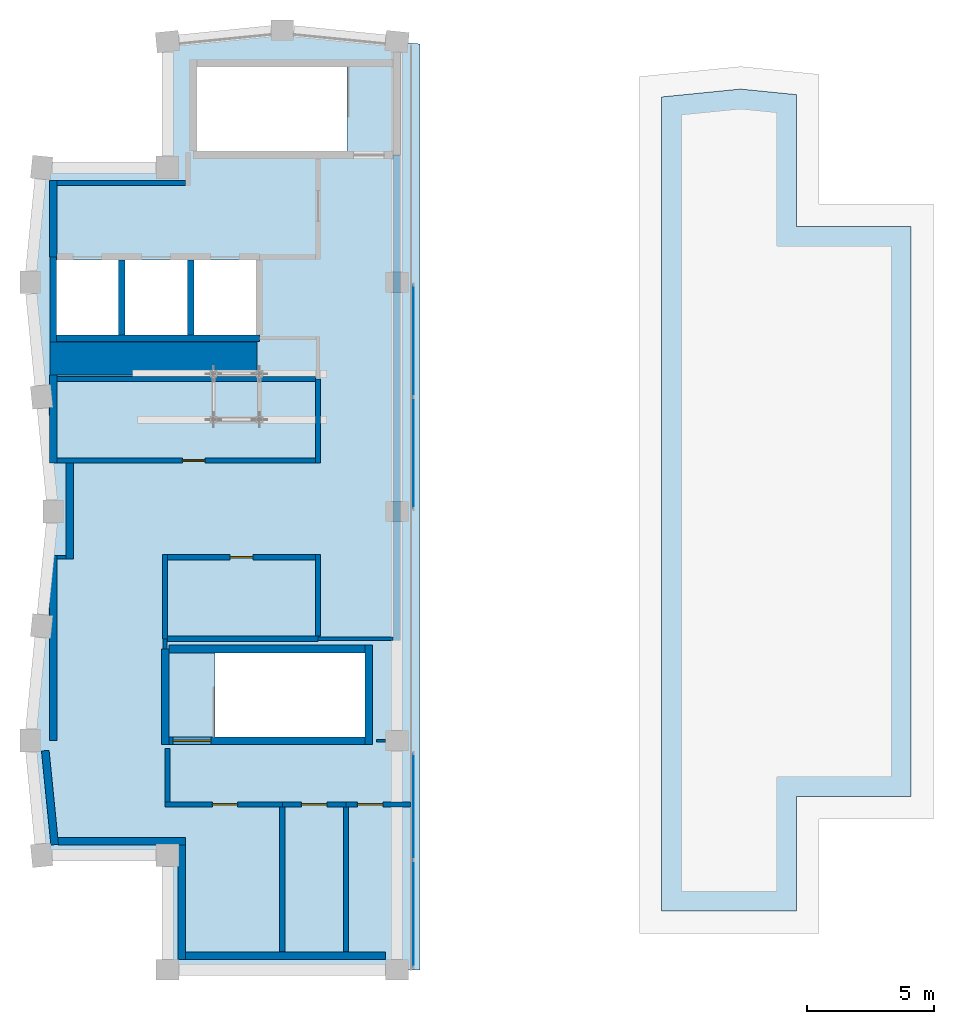
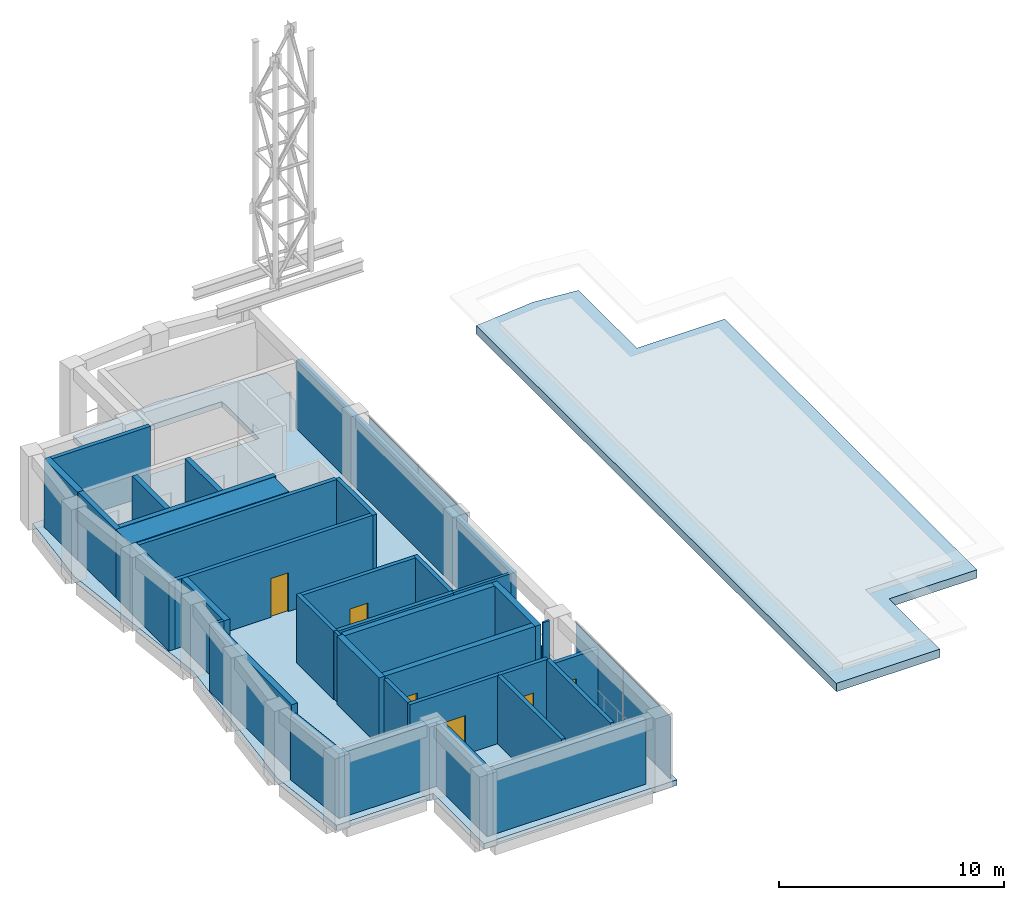
# One storey, part 5 of 7: 36 walls, 6 doors, 4 plates, 2 slabs, 6 openings, 2 elements without a shape of their own.
"""IFC4 building model written with IfcOpenShell, lengths in metres."""

from ifc_helpers import new_model, si_unit, direction, frame, frame_2d, origin, origin_2d, place, context, subcontext, project, spatial, polyline, rectangle, outline, extrude, material, layer, layer_set, type_object, element, fill, aggregate, save


model = new_model("IFC4")

# Units and contexts
model_context = context("Model", 3, precision=1e-05, world=origin(), true_north=direction((0.0, 1.0)))
body_context = subcontext(model_context, "Body", "Model", "MODEL_VIEW")
ifc_project = project(units=[si_unit("LENGTHUNIT", "METRE"), si_unit("AREAUNIT", "SQUARE_METRE"), si_unit("VOLUMEUNIT", "CUBIC_METRE"), si_unit("PLANEANGLEUNIT", "RADIAN"), si_unit("MASSUNIT", "GRAM", prefix="KILO")], contexts=[model_context])

# Site, building, storey
site_placement = place(None, origin())
site = spatial("IfcSite", under=ifc_project, at=site_placement, CompositionType="ELEMENT")
building_placement = place(site_placement, origin())
building = spatial("IfcBuilding", under=site, at=building_placement, Name="Brondeck Convention Tower", CompositionType="ELEMENT")
storey_placement = place(building_placement, frame((0.0, 0.0, 306.800048828125)))
storey = spatial("IfcBuildingStorey", under=building, at=storey_placement, Name="L76", CompositionType="ELEMENT", Elevation=306.800048828125)

# Curtain wall, plates
ifc_material_1 = material(Name="Aluminium, bronze anodised", Category="aluminium")
curtain_wall_type = type_object("IfcCurtainWallType", Name="Crown screen curtain wall", PredefinedType="NOTDEFINED", material=ifc_material_1)
curtain_wall_1_placement = place(storey_placement, origin())
curtain_wall_1 = element("IfcCurtainWall", 1, at=curtain_wall_1_placement, inside=storey, type_object=curtain_wall_type, Name="ENV-CW4-L76-K1-SLOT-W-00-2", PredefinedType="NOTDEFINED")
ifc_material_2 = material(Name="Bronze tinted laminated glass", Category="glass")
ifc_layer_1 = layer(ifc_material_2, 0.007080078125, Name="Outer pane")
ifc_material_3 = material(Name="Argon-filled cavity")
ifc_layer_2 = layer(ifc_material_3, 0.011962890625, Name="Cavity")
ifc_material_4 = material(Name="Clear low-emissivity glass", Category="glass")
ifc_layer_3 = layer(ifc_material_4, 0.007080078125, Name="Inner pane")
ifc_layer_set_1 = layer_set([ifc_layer_1, ifc_layer_2, ifc_layer_3], Name="CW4 glazing panel")
plate_type = type_object("IfcPlateType", Name="CW4 glazing panel", PredefinedType="CURTAIN_PANEL", material=ifc_layer_set_1)
plate_1_placement = place(storey_placement, frame((14.14990234375, 33.41259765625, 0.06005859375), z_axis=(0.0, 0.0, 1.0), x_axis=(0.0, -1.0, 0.0)))
plate_1 = element("IfcPlate", 2, at=plate_1_placement, type_object=plate_type, Name="CW4 panel 1.1", PredefinedType="CURTAIN_PANEL", context=body_context, shape_type="SweptSolid", body=[
    extrude(rectangle(XDim=4.155029296875, YDim=0.02587890625, at=origin_2d()), origin(), (0.0, 0.0, 1.0), 3.3798828125),
])
plate_2_placement = place(storey_placement, frame((14.14990234375, 29.197509765625, 0.06005859375), z_axis=(0.0, 0.0, 1.0), x_axis=(0.0, -1.0, 0.0)))
plate_2 = element("IfcPlate", 3, at=plate_2_placement, type_object=plate_type, Name="CW4 panel 2.1", PredefinedType="CURTAIN_PANEL", context=body_context, shape_type="SweptSolid", body=[
    extrude(rectangle(XDim=4.155029296875, YDim=0.02587890625, at=origin_2d()), origin(), (0.0, 0.0, 1.0), 3.3798828125),
])
aggregate(curtain_wall_1, [plate_1, plate_2])

curtain_wall_2_placement = place(storey_placement, origin())
curtain_wall_2 = element("IfcCurtainWall", 4, at=curtain_wall_2_placement, inside=storey, type_object=curtain_wall_type, Name="ENV-CW4-L76-K1-SLOT-W-05", PredefinedType="NOTDEFINED")
plate_3_placement = place(storey_placement, frame((14.14990234375, 51.705078125, 0.06005859375), z_axis=(0.0, 0.0, 1.0), x_axis=(0.0, -1.0, 0.0)))
plate_3 = element("IfcPlate", 5, at=plate_3_placement, type_object=plate_type, Name="CW4 panel 1.1", PredefinedType="CURTAIN_PANEL", context=body_context, shape_type="SweptSolid", body=[
    extrude(rectangle(XDim=4.35009765625, YDim=0.02587890625, at=origin_2d()), origin(), (0.0, 0.0, 1.0), 3.3798828125),
])
plate_4_placement = place(storey_placement, frame((14.14990234375, 47.294921875, 0.06005859375), z_axis=(0.0, 0.0, 1.0), x_axis=(0.0, -1.0, 0.0)))
plate_4 = element("IfcPlate", 6, at=plate_4_placement, type_object=plate_type, Name="CW4 panel 2.1", PredefinedType="CURTAIN_PANEL", context=body_context, shape_type="SweptSolid", body=[
    extrude(rectangle(XDim=4.35009765625, YDim=0.02587890625, at=origin_2d()), origin(), (0.0, 0.0, 1.0), 3.3798828125),
])
aggregate(curtain_wall_2, [plate_3, plate_4])

# Slabs
ifc_material_5 = material(Name="Concrete C35/45", Category="concrete")
ifc_layer_4 = layer(ifc_material_5, 0.300048828125)
ifc_layer_set_2 = layer_set([ifc_layer_4], Name="Composite floor slab 300")
slab_type_1 = type_object("IfcSlabType", Name="Composite floor slab 300", PredefinedType="FLOOR", material=ifc_layer_set_2)
slab_1_placement = place(storey_placement, frame((0.0, 0.0, -0.300048828125)))
element("IfcSlab", 7, at=slab_1_placement, inside=storey, type_object=slab_type_1, Name="STR-SL-L76", PredefinedType="FLOOR", context=body_context, shape_type="SweptSolid", body=[
    extrude(outline(polyline([(4.5, 31.5), (-0.449951171875, 31.5), (-0.89990234375, 36.0), (0.0, 45.0), (-0.89990234375, 54.0), (-0.449951171875, 58.5), (4.5, 58.5), (4.5, 63.449951171875), (9.0, 63.89990234375), (14.39990234375, 63.360107421875), (14.39990234375, 63.0), (14.39990234375, 27.0), (4.5, 27.0), (4.5, 31.5)]), holes=[polyline([(6.35205078125, 39.447998046875), (6.35205078125, 36.152099609375), (12.248046875, 36.152099609375), (12.248046875, 39.447998046875), (6.35205078125, 39.447998046875)]), polyline([(0.125, 54.875), (0.125, 51.925048828125), (2.574951171875, 51.925048828125), (2.574951171875, 54.875), (0.125, 54.875)]), polyline([(2.824951171875, 54.875), (2.824951171875, 51.925048828125), (5.27490234375, 51.925048828125), (5.27490234375, 54.875), (2.824951171875, 54.875)]), polyline([(7.97509765625, 54.875), (5.52490234375, 54.875), (5.52490234375, 51.925048828125), (7.97509765625, 51.925048828125), (7.97509765625, 54.875)]), polyline([(5.652099609375, 59.152099609375), (11.548095703125, 59.152099609375), (11.548095703125, 62.447998046875), (5.652099609375, 62.447998046875), (5.652099609375, 59.152099609375)])]), origin(), (0.0, 0.0, 1.0), 0.300048828125),
])
ifc_layer_5 = layer(ifc_material_5, 0.449951171875)
ifc_layer_set_3 = layer_set([ifc_layer_5], Name="Crown tier slab 450")
slab_type_2 = type_object("IfcSlabType", Name="Crown tier slab 450", PredefinedType="ROOF", material=ifc_layer_set_3)
slab_2_placement = place(storey_placement, frame((0.0, 0.0, 0.050048828125)))
element("IfcSlab", 8, at=slab_2_placement, inside=storey, type_object=slab_type_2, Name="ENV-CT-K2-T2-SL", PredefinedType="ROOF", context=body_context, shape_type="SweptSolid", body=[
    extrude(outline(polyline([(23.89990234375, 29.300048828125), (29.199951171875, 29.300048828125), (29.199951171875, 33.800048828125), (33.699951171875, 33.800048828125), (33.699951171875, 56.199951171875), (29.199951171875, 56.199951171875), (29.199951171875, 61.368408203125), (27.0, 61.58837890625), (23.89990234375, 61.278564453125), (23.89990234375, 29.300048828125)])), origin(), (0.0, 0.0, 1.0), 0.449951171875),
])

# Walls
ifc_material_6 = material(Name="Concrete C50/60", Category="concrete")
ifc_layer_6 = layer(ifc_material_6, 0.300048828125)
ifc_layer_set_4 = layer_set([ifc_layer_6], Name="Core outer wall 300 Concrete C50/60")
wall_type_1 = type_object("IfcWallType", Name="Core outer wall 300 Concrete C50/60", PredefinedType="SHEAR", material=ifc_layer_set_4)
wall_1_placement = place(storey_placement, frame((0.0, 36.0, 0.0), z_axis=(0.0, 0.0, 1.0), x_axis=(0.0, 1.0, 0.0)))
element("IfcWall", 9, at=wall_1_placement, inside=storey, type_object=wall_type_1, Name="L76 core wall", PredefinedType="SHEAR", context=body_context, shape_type="SweptSolid", body=[
    extrude(rectangle(XDim=7.27490234375, YDim=0.300048828125, at=frame_2d((3.637451171875, 0.0))), origin(), (0.0, 0.0, 1.0), 3.699951171875),
])
wall_2_placement = place(storey_placement, frame((0.0, 46.89990234375, 0.0), z_axis=(0.0, 0.0, 1.0), x_axis=(0.0, 1.0, 0.0)))
element("IfcWall", 10, at=wall_2_placement, inside=storey, type_object=wall_type_1, Name="L76 core wall", PredefinedType="SHEAR", context=body_context, shape_type="SweptSolid", body=[
    extrude(rectangle(XDim=3.4501953125, YDim=0.300048828125, at=frame_2d((1.72509765625, 0.0))), origin(), (0.0, 0.0, 1.0), 3.699951171875),
])
wall_3_placement = place(storey_placement, frame((0.0, 55.0, 0.0), z_axis=(0.0, 0.0, 1.0), x_axis=(0.0, 1.0, 0.0)))
element("IfcWall", 11, at=wall_3_placement, inside=storey, type_object=wall_type_1, Name="L76 core wall", PredefinedType="SHEAR", context=body_context, shape_type="SweptSolid", body=[
    extrude(rectangle(XDim=3.0, YDim=0.300048828125, at=frame_2d((1.5, 0.0))), origin(), (0.0, 0.0, 1.0), 3.699951171875),
])
wall_4_placement = place(storey_placement, frame((0.64990234375, 43.125, 0.0), z_axis=(0.0, 0.0, 1.0), x_axis=(0.0, 1.0, 0.0)))
element("IfcWall", 12, at=wall_4_placement, inside=storey, type_object=wall_type_1, Name="L76 core wall", PredefinedType="SHEAR", context=body_context, shape_type="SweptSolid", body=[
    extrude(rectangle(XDim=3.77490234375, YDim=0.300048828125, at=frame_2d((1.887451171875, 0.0))), origin(), (0.0, 0.0, 1.0), 3.699951171875),
])
wall_5_placement = place(storey_placement, frame((13.5, 39.925048828125, 0.0), z_axis=(0.0, 0.0, 1.0), x_axis=(0.0, 1.0, 0.0)))
element("IfcWall", 13, at=wall_5_placement, inside=storey, type_object=wall_type_1, Name="L76 core wall", PredefinedType="SHEAR", context=body_context, shape_type="SweptSolid", body=[
    extrude(rectangle(XDim=19.074951171875, YDim=0.300048828125, at=frame_2d((9.53759765625, 0.0))), origin(), (0.0, 0.0, 1.0), 3.699951171875),
])
ifc_material_7 = material(Name="Fire-rated gypsum board partition")
ifc_layer_7 = layer(ifc_material_7, 0.14990234375)
ifc_layer_set_5 = layer_set([ifc_layer_7], Name="Core partition 150 EI 60")
wall_type_2 = type_object("IfcWallType", Name="Core partition 150 EI 60", PredefinedType="PARTITIONING", material=ifc_layer_set_5)
wall_6_placement = place(storey_placement, frame((10.39990234375, 40.0, 0.0), z_axis=(0.0, 0.0, 1.0), x_axis=(1.0, 0.0, 0.0)))
element("IfcWall", 14, at=wall_6_placement, inside=storey, type_object=wall_type_2, Name="L76 core wall", PredefinedType="PARTITIONING", context=body_context, shape_type="SweptSolid", body=[
    extrude(rectangle(XDim=2.9501953125, YDim=0.14990234375, at=frame_2d((1.47509765625, 0.0))), origin(), (0.0, 0.0, 1.0), 3.699951171875),
])
wall_7_placement = place(storey_placement, frame((0.14990234375, 43.199951171875, 0.0), z_axis=(0.0, 0.0, 1.0), x_axis=(1.0, 0.0, 0.0)))
element("IfcWall", 15, at=wall_7_placement, inside=storey, type_object=wall_type_2, Name="L76 core wall", PredefinedType="PARTITIONING", context=body_context, shape_type="SweptSolid", body=[
    extrude(rectangle(XDim=0.35009765625, YDim=0.14990234375, at=frame_2d((0.175048828125, 0.0))), origin(), (0.0, 0.0, 1.0), 3.699951171875),
])
wall_8_placement = place(storey_placement, frame((4.39990234375, 39.60009765625, 0.0), z_axis=(0.0, 0.0, 1.0), x_axis=(0.0, 1.0, 0.0)))
element("IfcWall", 16, at=wall_8_placement, inside=storey, type_object=wall_type_2, Name="L76 core wall", PredefinedType="PARTITIONING", context=body_context, shape_type="SweptSolid", body=[
    extrude(rectangle(XDim=0.39990234375, YDim=0.14990234375, at=frame_2d((0.199951171875, 0.0))), origin(), (0.0, 0.0, 1.0), 3.699951171875),
])
ifc_layer_8 = layer(ifc_material_6, 1.300048828125)
ifc_layer_set_6 = layer_set([ifc_layer_8], Name="Core shear wall 1300 Concrete C50/60")
wall_type_3 = type_object("IfcWallType", Name="Core shear wall 1300 Concrete C50/60", PredefinedType="SHEAR", material=ifc_layer_set_6)
wall_9_placement = place(storey_placement, frame((-0.125, 51.0, 0.0), z_axis=(0.0, 0.0, 1.0), x_axis=(1.0, 0.0, 0.0)))
element("IfcWall", 17, at=wall_9_placement, inside=storey, type_object=wall_type_3, Name="L76 core wall", PredefinedType="SHEAR", context=body_context, shape_type="SweptSolid", body=[
    extrude(rectangle(XDim=8.125, YDim=1.300048828125, at=frame_2d((4.0625, 0.0))), origin(), (0.0, 0.0, 1.0), 3.699951171875),
])
ifc_material_8 = material(Name="Precast concrete C50/60 bronze finish", Category="concrete")
ifc_layer_9 = layer(ifc_material_8, 0.070068359375, Name="Bronze precast facing")
ifc_material_9 = material(Name="Mineral wool")
ifc_layer_10 = layer(ifc_material_9, 0.159912109375, Name="Insulation")
ifc_layer_11 = layer(ifc_material_5, 0.070068359375, Name="Backing")
ifc_layer_set_7 = layer_set([ifc_layer_9, ifc_layer_10, ifc_layer_11], Name="External infill wall, precast concrete C50/60 bronze facing")
wall_type_4 = type_object("IfcWallType", Name="External infill wall, precast concrete C50/60 bronze facing", PredefinedType="SOLIDWALL", material=ifc_layer_set_7)
wall_10_placement = place(storey_placement, frame((13.050048828125, 27.550048828125, 0.0), z_axis=(0.0, 0.0, 1.0), x_axis=(-1.0, 0.0, 0.0)))
element("IfcWall", 18, at=wall_10_placement, inside=storey, type_object=wall_type_4, Name="ENV-EW-L76-K1-K-S-01", PredefinedType="SOLIDWALL", context=body_context, shape_type="SweptSolid", body=[
    extrude(rectangle(XDim=7.85009765625, YDim=0.300048828125, at=frame_2d((3.925048828125, 0.0))), origin(), (0.0, 0.0, 1.0), 3.5),
])
wall_11_placement = place(storey_placement, frame((0.061279296875, 31.914794921875, 0.0), z_axis=(0.0, 0.0, 1.0), x_axis=(-0.099549320092, 0.995032629048, 0.0)))
element("IfcWall", 19, at=wall_11_placement, inside=storey, type_object=wall_type_4, Name="ENV-EW-L76-K1-B-W-06", PredefinedType="SOLIDWALL", context=body_context, shape_type="SweptSolid", body=[
    extrude(rectangle(XDim=3.71044921875, YDim=0.300048828125, at=frame_2d((1.855224609375, 0.0))), origin(), (0.0, 0.0, 1.0), 3.5),
])
wall_12_placement = place(storey_placement, frame((5.199951171875, 32.050048828125, 0.0), z_axis=(0.0, 0.0, 1.0), x_axis=(-1.0, 0.0, 0.0)))
element("IfcWall", 20, at=wall_12_placement, inside=storey, type_object=wall_type_4, Name="ENV-EW-L76-K1-NC-KSW-01", PredefinedType="SOLIDWALL", context=body_context, shape_type="SweptSolid", body=[
    extrude(rectangle(XDim=5.000244140625, YDim=0.300048828125, at=frame_2d((2.5, 0.0))), origin(), (0.0, 0.0, 1.0), 3.5),
])
wall_13_placement = place(storey_placement, frame((5.050048828125, 27.39990234375, 0.0), z_axis=(0.0, 0.0, 1.0), x_axis=(0.0, 1.0, 0.0)))
element("IfcWall", 21, at=wall_13_placement, inside=storey, type_object=wall_type_4, Name="ENV-EW-L76-K1-NC-KSW-02", PredefinedType="SOLIDWALL", context=body_context, shape_type="SweptSolid", body=[
    extrude(rectangle(XDim=4.502197265625, YDim=0.300048828125, at=frame_2d((2.2509765625, 0.0))), origin(), (0.0, 0.0, 1.0), 3.5),
])
ifc_layer_12 = layer(ifc_material_7, 0.199951171875)
ifc_layer_set_8 = layer_set([ifc_layer_12], Name="Firefighting lobby wall 200 EI 120")
wall_type_5 = type_object("IfcWallType", Name="Firefighting lobby wall 200 EI 120", PredefinedType="PARTITIONING", material=ifc_layer_set_8)
wall_14_placement = place(storey_placement, frame((0.14990234375, 57.89990234375, 0.0), z_axis=(0.0, 0.0, 1.0), x_axis=(1.0, 0.0, 0.0)))
element("IfcWall", 22, at=wall_14_placement, inside=storey, type_object=wall_type_5, Name="L76 core wall", PredefinedType="PARTITIONING", context=body_context, shape_type="SweptSolid", body=[
    extrude(rectangle(XDim=5.050048828125, YDim=0.199951171875, at=frame_2d((2.52490234375, 0.0))), origin(), (0.0, 0.0, 1.0), 3.699951171875),
])
ifc_layer_13 = layer(ifc_material_6, 0.25)
ifc_layer_set_9 = layer_set([ifc_layer_13], Name="Lift shaft wall 250 Concrete C50/60")
wall_type_6 = type_object("IfcWallType", Name="Lift shaft wall 250 Concrete C50/60", PredefinedType="SHEAR", material=ifc_layer_set_9)
wall_15_placement = place(storey_placement, frame((0.125, 51.800048828125, 0.0), z_axis=(0.0, 0.0, 1.0), x_axis=(1.0, 0.0, 0.0)))
element("IfcWall", 23, at=wall_15_placement, inside=storey, type_object=wall_type_6, Name="L76 core wall", PredefinedType="SHEAR", context=body_context, shape_type="SweptSolid", body=[
    extrude(rectangle(XDim=7.97509765625, YDim=0.25, at=frame_2d((3.987548828125, 0.0))), origin(), (0.0, 0.0, 1.0), 3.699951171875),
])
wall_16_placement = place(storey_placement, frame((0.0, 51.64990234375, 0.0), z_axis=(0.0, 0.0, 1.0), x_axis=(0.0, 1.0, 0.0)))
element("IfcWall", 24, at=wall_16_placement, inside=storey, type_object=wall_type_6, Name="L76 core wall", PredefinedType="SHEAR", context=body_context, shape_type="SweptSolid", body=[
    extrude(rectangle(XDim=3.35009765625, YDim=0.25, at=frame_2d((1.675048828125, 0.0))), origin(), (0.0, 0.0, 1.0), 3.699951171875),
])
for number, where, z_axis, x_axis, name in (
    (25, (2.699951171875, 51.925048828125, 0.0), (0.0, 0.0, 1.0), (0.0, 1.0, 0.0), "L76 core wall"),
    (26, (5.39990234375, 51.925048828125, 0.0), (0.0, 0.0, 1.0), (0.0, 1.0, 0.0), "L76 core wall"),
):
    element("IfcWall", number, at=place(storey_placement, frame(where, z_axis=z_axis, x_axis=x_axis)), inside=storey, type_object=wall_type_6, Name=name, PredefinedType="SHEAR", context=body_context, shape_type="SweptSolid", body=[
        extrude(rectangle(XDim=2.949951171875, YDim=0.25, at=frame_2d((1.47509765625, 0.0))), origin(), (0.0, 0.0, 1.0), 3.699951171875),
    ])
ifc_material_10 = material(Name="Concrete block wall C16/20", Category="concrete")
ifc_layer_14 = layer(ifc_material_10, 0.199951171875)
ifc_layer_set_10 = layer_set([ifc_layer_14], Name="Plant room wall 200")
wall_type_7 = type_object("IfcWallType", Name="Plant room wall 200", PredefinedType="PARTITIONING", material=ifc_layer_set_10)
for number, where, z_axis, x_axis, name in (
    (27, (9.0, 33.39990234375, 0.0), (0.0, 0.0, 1.0), (0.0, -1.0, 0.0), "FLR-L76-W001"),
    (28, (11.5, 33.39990234375, 0.0), (0.0, 0.0, 1.0), (0.0, -1.0, 0.0), "FLR-L76-W002"),
):
    element("IfcWall", number, at=place(storey_placement, frame(where, z_axis=z_axis, x_axis=x_axis)), inside=storey, type_object=wall_type_7, Name=name, PredefinedType="PARTITIONING", context=body_context, shape_type="SweptSolid", body=[
        extrude(rectangle(XDim=5.679931640625, YDim=0.199951171875, at=frame_2d((2.83984375, 0.0))), origin(), (0.0, 0.0, 1.0), 3.679931640625),
    ])

# Wall, opening, door
wall_17_placement = place(storey_placement, frame((9.0, 33.5, 0.0), z_axis=(0.0, 0.0, 1.0), x_axis=(-1.0, 0.0, 0.0)))
wall_17 = element("IfcWall", 29, at=wall_17_placement, inside=storey, type_object=wall_type_7, Name="FLR-L76-W003", PredefinedType="PARTITIONING", context=body_context, shape_type="SweptSolid", body=[
    extrude(rectangle(XDim=4.60009765625, YDim=0.199951171875, at=frame_2d((2.300048828125, 0.0))), origin(), (0.0, 0.0, 1.0), 3.679931640625),
])
opening_1_placement = place(wall_17_placement, frame((1.75, 0.0, 0.0)))
opening_1 = element("IfcOpeningElement", 30, at=opening_1_placement, cuts=wall_17, Name="Opening CR-C-001", PredefinedType="OPENING", context=body_context, shape_type="SweptSolid", body=[
    extrude(rectangle(XDim=1.0, YDim=2.10009765625, at=frame_2d((0.5, 1.050048828125))), frame((0.0, 0.10986328125, 0.0), z_axis=(0.0, -1.0, 0.0), x_axis=(1.0, 0.0, 0.0)), (0.0, 0.0, 1.0), 0.219970703125),
])
ifc_material_11 = material(Name="Steel fire door leaf", Category="steel")
door_type_1 = type_object("IfcDoorType", Name="Plant room door 1000", OperationType="NOTDEFINED", PredefinedType="DOOR", material=ifc_material_11)
door_1_placement = place(opening_1_placement, origin())
door_1 = element("IfcDoor", 31, at=door_1_placement, inside=storey, type_object=door_type_1, Name="Door CR-C-001", OperationType="SINGLE_SWING_RIGHT", OverallHeight=2.10009765625, OverallWidth=1.0, PredefinedType="DOOR", context=body_context, shape_type="SweptSolid", body=[
    extrude(rectangle(XDim=1.0, YDim=2.10009765625, at=frame_2d((0.5, 1.050048828125))), frame((0.0, 0.02490234375, 0.0), z_axis=(0.0, -1.0, 0.0), x_axis=(1.0, 0.0, 0.0)), (0.0, 0.0, 1.0), 0.050048828125),
])
fill(opening_1, door_1)

wall_18_placement = place(storey_placement, frame((11.5, 33.5, 0.0), z_axis=(0.0, 0.0, 1.0), x_axis=(-1.0, 0.0, 0.0)))
wall_18 = element("IfcWall", 32, at=wall_18_placement, inside=storey, type_object=wall_type_7, Name="FLR-L76-W004", PredefinedType="PARTITIONING", context=body_context, shape_type="SweptSolid", body=[
    extrude(rectangle(XDim=2.5, YDim=0.199951171875, at=frame_2d((1.25, 0.0))), origin(), (0.0, 0.0, 1.0), 3.679931640625),
])
opening_2_placement = place(wall_18_placement, frame((0.75, 0.0, 0.0)))
opening_2 = element("IfcOpeningElement", 33, at=opening_2_placement, cuts=wall_18, Name="Opening CR-C-002", PredefinedType="OPENING", context=body_context, shape_type="SweptSolid", body=[
    extrude(rectangle(XDim=1.0, YDim=2.10009765625, at=frame_2d((0.5, 1.050048828125))), frame((0.0, 0.10986328125, 0.0), z_axis=(0.0, -1.0, 0.0), x_axis=(1.0, 0.0, 0.0)), (0.0, 0.0, 1.0), 0.219970703125),
])
door_2_placement = place(opening_2_placement, origin())
door_2 = element("IfcDoor", 34, at=door_2_placement, inside=storey, type_object=door_type_1, Name="Door CR-C-002", OperationType="SINGLE_SWING_RIGHT", OverallHeight=2.10009765625, OverallWidth=1.0, PredefinedType="DOOR", context=body_context, shape_type="SweptSolid", body=[
    extrude(rectangle(XDim=1.0, YDim=2.10009765625, at=frame_2d((0.5, 1.050048828125))), frame((0.0, 0.02490234375, 0.0), z_axis=(0.0, -1.0, 0.0), x_axis=(1.0, 0.0, 0.0)), (0.0, 0.0, 1.0), 0.050048828125),
])
fill(opening_2, door_2)

wall_19_placement = place(storey_placement, frame((14.06005859375, 33.5, 0.0), z_axis=(0.0, 0.0, 1.0), x_axis=(-1.0, 0.0, 0.0)))
wall_19 = element("IfcWall", 35, at=wall_19_placement, inside=storey, type_object=wall_type_7, Name="FLR-L76-W005", PredefinedType="PARTITIONING", context=body_context, shape_type="SweptSolid", body=[
    extrude(rectangle(XDim=2.56005859375, YDim=0.199951171875, at=frame_2d((1.280029296875, 0.0))), origin(), (0.0, 0.0, 1.0), 3.329833984375),
])
opening_3_placement = place(wall_19_placement, frame((1.110107421875, 0.0, 0.0)))
opening_3 = element("IfcOpeningElement", 36, at=opening_3_placement, cuts=wall_19, Name="Opening CR-C-003", PredefinedType="OPENING", context=body_context, shape_type="SweptSolid", body=[
    extrude(rectangle(XDim=1.0, YDim=2.10009765625, at=frame_2d((0.5, 1.050048828125))), frame((0.0, 0.10986328125, 0.0), z_axis=(0.0, -1.0, 0.0), x_axis=(1.0, 0.0, 0.0)), (0.0, 0.0, 1.0), 0.219970703125),
])
door_3_placement = place(opening_3_placement, origin())
door_3 = element("IfcDoor", 37, at=door_3_placement, inside=storey, type_object=door_type_1, Name="Door CR-C-003", OperationType="SINGLE_SWING_LEFT", OverallHeight=2.10009765625, OverallWidth=1.0, PredefinedType="DOOR", context=body_context, shape_type="SweptSolid", body=[
    extrude(rectangle(XDim=1.0, YDim=2.10009765625, at=frame_2d((0.5, 1.050048828125))), frame((0.0, 0.02490234375, 0.0), z_axis=(0.0, -1.0, 0.0), x_axis=(1.0, 0.0, 0.0)), (0.0, 0.0, 1.0), 0.050048828125),
])
fill(opening_3, door_3)

# Walls
wall_20_placement = place(storey_placement, frame((4.5, 33.60009765625, 0.0), z_axis=(0.0, 0.0, 1.0), x_axis=(0.0, 1.0, 0.0)))
element("IfcWall", 38, at=wall_20_placement, inside=storey, type_object=wall_type_7, Name="FLR-L76-W006", PredefinedType="PARTITIONING", context=body_context, shape_type="SweptSolid", body=[
    extrude(rectangle(XDim=2.099853515625, YDim=0.199951171875, at=frame_2d((1.0498046875, 0.0))), origin(), (0.0, 0.0, 1.0), 3.679931640625),
])
ifc_layer_15 = layer(ifc_material_7, 0.199951171875)
ifc_layer_set_11 = layer_set([ifc_layer_15], Name="Plant room wall 200 EI 120")
wall_type_8 = type_object("IfcWallType", Name="Plant room wall 200 EI 120", PredefinedType="PARTITIONING", material=ifc_layer_set_11)
wall_21_placement = place(storey_placement, frame((4.5, 40.0, 0.0), z_axis=(0.0, 0.0, 1.0), x_axis=(1.0, 0.0, 0.0)))
element("IfcWall", 39, at=wall_21_placement, inside=storey, type_object=wall_type_8, Name="L76 core wall", PredefinedType="PARTITIONING", context=body_context, shape_type="SweptSolid", body=[
    extrude(rectangle(XDim=5.89990234375, YDim=0.199951171875, at=frame_2d((2.949951171875, 0.0))), origin(), (0.0, 0.0, 1.0), 3.699951171875),
])

# Wall, opening, door
wall_22_placement = place(storey_placement, frame((4.5, 43.199951171875, 0.0), z_axis=(0.0, 0.0, 1.0), x_axis=(1.0, 0.0, 0.0)))
wall_22 = element("IfcWall", 40, at=wall_22_placement, inside=storey, type_object=wall_type_8, Name="L76 core wall", PredefinedType="PARTITIONING", context=body_context, shape_type="SweptSolid", body=[
    extrude(rectangle(XDim=5.800048828125, YDim=0.199951171875, at=frame_2d((2.89990234375, 0.0))), origin(), (0.0, 0.0, 1.0), 3.699951171875),
])
opening_4_placement = place(wall_22_placement, frame((2.449951171875, 0.0, 0.0)))
opening_4 = element("IfcOpeningElement", 41, at=opening_4_placement, cuts=wall_22, Name="Opening C43-03", PredefinedType="OPENING", context=body_context, shape_type="SweptSolid", body=[
    extrude(rectangle(XDim=0.89990234375, YDim=2.10009765625, at=frame_2d((0.449951171875, 1.050048828125))), frame((0.0, 0.10986328125, 0.0), z_axis=(0.0, -1.0, 0.0), x_axis=(1.0, 0.0, 0.0)), (0.0, 0.0, 1.0), 0.219970703125),
])
ifc_material_12 = material(Name="Steel fire door", Category="steel")
door_type_2 = type_object("IfcDoorType", Name="Room door 900x2100 EI 120", OperationType="NOTDEFINED", PredefinedType="DOOR", material=ifc_material_12)
door_4_placement = place(opening_4_placement, origin())
door_4 = element("IfcDoor", 42, at=door_4_placement, inside=storey, type_object=door_type_2, Name="L76 Room door FZ-S-4.4-1", OperationType="SINGLE_SWING_LEFT", OverallHeight=2.10009765625, OverallWidth=0.89990234375, PredefinedType="DOOR", context=body_context, shape_type="SweptSolid", body=[
    extrude(rectangle(XDim=0.89990234375, YDim=2.10009765625, at=frame_2d((0.449951171875, 1.050048828125))), frame((0.0, 0.02490234375, 0.0), z_axis=(0.0, -1.0, 0.0), x_axis=(1.0, 0.0, 0.0)), (0.0, 0.0, 1.0), 0.050048828125),
])
fill(opening_4, door_4)

wall_23_placement = place(storey_placement, frame((0.14990234375, 47.0, 0.0), z_axis=(0.0, 0.0, 1.0), x_axis=(1.0, 0.0, 0.0)))
wall_23 = element("IfcWall", 43, at=wall_23_placement, inside=storey, type_object=wall_type_8, Name="L76 core wall", PredefinedType="PARTITIONING", context=body_context, shape_type="SweptSolid", body=[
    extrude(rectangle(XDim=10.150146484375, YDim=0.199951171875, at=frame_2d((5.0751953125, 0.0))), origin(), (0.0, 0.0, 1.0), 3.699951171875),
])
opening_5_placement = place(wall_23_placement, frame((4.925048828125, 0.0, 0.0)))
opening_5 = element("IfcOpeningElement", 44, at=opening_5_placement, cuts=wall_23, Name="Opening C43-02", PredefinedType="OPENING", context=body_context, shape_type="SweptSolid", body=[
    extrude(rectangle(XDim=0.89990234375, YDim=2.10009765625, at=frame_2d((0.449951171875, 1.050048828125))), frame((0.0, 0.10986328125, 0.0), z_axis=(0.0, -1.0, 0.0), x_axis=(1.0, 0.0, 0.0)), (0.0, 0.0, 1.0), 0.219970703125),
])
door_5_placement = place(opening_5_placement, origin())
door_5 = element("IfcDoor", 45, at=door_5_placement, inside=storey, type_object=door_type_2, Name="L76 Room door FZ-N-0-1", OperationType="SINGLE_SWING_RIGHT", OverallHeight=2.10009765625, OverallWidth=0.89990234375, PredefinedType="DOOR", context=body_context, shape_type="SweptSolid", body=[
    extrude(rectangle(XDim=0.89990234375, YDim=2.10009765625, at=frame_2d((0.449951171875, 1.050048828125))), frame((0.0, 0.02490234375, 0.0), z_axis=(0.0, -1.0, 0.0), x_axis=(1.0, 0.0, 0.0)), (0.0, 0.0, 1.0), 0.050048828125),
])
fill(opening_5, door_5)

# Walls
wall_24_placement = place(storey_placement, frame((0.14990234375, 50.199951171875, 0.0), z_axis=(0.0, 0.0, 1.0), x_axis=(1.0, 0.0, 0.0)))
element("IfcWall", 46, at=wall_24_placement, inside=storey, type_object=wall_type_8, Name="L76 core wall", PredefinedType="PARTITIONING", context=body_context, shape_type="SweptSolid", body=[
    extrude(rectangle(XDim=10.150146484375, YDim=0.199951171875, at=frame_2d((5.0751953125, 0.0))), origin(), (0.0, 0.0, 1.0), 3.699951171875),
])
wall_25_placement = place(storey_placement, frame((4.39990234375, 40.0, 0.0), z_axis=(0.0, 0.0, 1.0), x_axis=(0.0, 1.0, 0.0)))
element("IfcWall", 47, at=wall_25_placement, inside=storey, type_object=wall_type_8, Name="L76 core wall", PredefinedType="PARTITIONING", context=body_context, shape_type="SweptSolid", body=[
    extrude(rectangle(XDim=3.300048828125, YDim=0.199951171875, at=frame_2d((1.64990234375, 0.0))), origin(), (0.0, 0.0, 1.0), 3.699951171875),
])
wall_26_placement = place(storey_placement, frame((10.39990234375, 40.10009765625, 0.0), z_axis=(0.0, 0.0, 1.0), x_axis=(0.0, 1.0, 0.0)))
element("IfcWall", 48, at=wall_26_placement, inside=storey, type_object=wall_type_8, Name="L76 core wall", PredefinedType="PARTITIONING", context=body_context, shape_type="SweptSolid", body=[
    extrude(rectangle(XDim=3.199951171875, YDim=0.199951171875, at=frame_2d((1.60009765625, 0.0))), origin(), (0.0, 0.0, 1.0), 3.699951171875),
])
wall_27_placement = place(storey_placement, frame((10.39990234375, 46.89990234375, 0.0), z_axis=(0.0, 0.0, 1.0), x_axis=(0.0, 1.0, 0.0)))
element("IfcWall", 49, at=wall_27_placement, inside=storey, type_object=wall_type_8, Name="L76 core wall", PredefinedType="PARTITIONING", context=body_context, shape_type="SweptSolid", body=[
    extrude(rectangle(XDim=3.300048828125, YDim=0.199951171875, at=frame_2d((1.64990234375, 0.0))), origin(), (0.0, 0.0, 1.0), 3.699951171875),
])
ifc_material_13 = material(Name="Gypsum board partition on steel studs", Category="steel")
ifc_layer_16 = layer(ifc_material_13, 0.10009765625)
ifc_layer_set_12 = layer_set([ifc_layer_16], Name="Room partition 100")
wall_type_9 = type_object("IfcWallType", Name="Room partition 100", PredefinedType="PARTITIONING", material=ifc_layer_set_12)
wall_28_placement = place(storey_placement, frame((12.699951171875, 36.0, 0.0), z_axis=(0.0, 0.0, 1.0), x_axis=(1.0, 0.0, 0.0)))
element("IfcWall", 50, at=wall_28_placement, inside=storey, type_object=wall_type_9, Name="FLR-L76-W007", PredefinedType="PARTITIONING", context=body_context, shape_type="SweptSolid", body=[
    extrude(rectangle(XDim=0.344970703125, YDim=0.10009765625, at=frame_2d((0.17236328125, 0.0))), origin(), (0.0, 0.0, 1.0), 3.679931640625),
])

# Wall, opening, door
ifc_layer_17 = layer(ifc_material_6, 0.300048828125)
ifc_layer_set_13 = layer_set([ifc_layer_17], Name="Stair enclosure wall 300 Concrete C50/60")
wall_type_10 = type_object("IfcWallType", Name="Stair enclosure wall 300 Concrete C50/60", PredefinedType="SHEAR", material=ifc_layer_set_13)
wall_29_placement = place(storey_placement, frame((4.550048828125, 36.0, 0.0), z_axis=(0.0, 0.0, 1.0), x_axis=(1.0, 0.0, 0.0)))
wall_29 = element("IfcWall", 51, at=wall_29_placement, inside=storey, type_object=wall_type_10, Name="L76 core wall", PredefinedType="SHEAR", context=body_context, shape_type="SweptSolid", body=[
    extrude(rectangle(XDim=7.699951171875, YDim=0.300048828125, at=frame_2d((3.85009765625, 0.0))), origin(), (0.0, 0.0, 1.0), 3.699951171875),
])
opening_6_placement = place(wall_29_placement, frame((0.14990234375, 0.0, 0.0)))
opening_6 = element("IfcOpeningElement", 52, at=opening_6_placement, cuts=wall_29, Name="Opening C43-04", PredefinedType="OPENING", context=body_context, shape_type="SweptSolid", body=[
    extrude(rectangle(XDim=1.5, YDim=2.199951171875, at=frame_2d((0.75, 1.10009765625))), frame((0.0, 0.159912109375, 0.0), z_axis=(0.0, -1.0, 0.0), x_axis=(1.0, 0.0, 0.0)), (0.0, 0.0, 1.0), 0.320068359375),
])
door_type_3 = type_object("IfcDoorType", Name="Stair door 1500x2200 EI 90", OperationType="NOTDEFINED", PredefinedType="DOOR", material=ifc_material_12)
door_6_placement = place(opening_6_placement, origin())
door_6 = element("IfcDoor", 53, at=door_6_placement, inside=storey, type_object=door_type_3, Name="L76 Stair door ST-1", OperationType="SINGLE_SWING_RIGHT", OverallHeight=2.199951171875, OverallWidth=1.5, PredefinedType="DOOR", context=body_context, shape_type="SweptSolid", body=[
    extrude(rectangle(XDim=1.5, YDim=2.199951171875, at=frame_2d((0.75, 1.10009765625))), frame((0.0, 0.02490234375, 0.0), z_axis=(0.0, -1.0, 0.0), x_axis=(1.0, 0.0, 0.0)), (0.0, 0.0, 1.0), 0.050048828125),
])
fill(opening_6, door_6)

# Walls
wall_30_placement = place(storey_placement, frame((4.550048828125, 39.60009765625, 0.0), z_axis=(0.0, 0.0, 1.0), x_axis=(1.0, 0.0, 0.0)))
element("IfcWall", 54, at=wall_30_placement, inside=storey, type_object=wall_type_10, Name="L76 core wall", PredefinedType="SHEAR", context=body_context, shape_type="SweptSolid", body=[
    extrude(rectangle(XDim=7.699951171875, YDim=0.300048828125, at=frame_2d((3.85009765625, 0.0))), origin(), (0.0, 0.0, 1.0), 3.699951171875),
])
wall_31_placement = place(storey_placement, frame((4.39990234375, 35.85009765625, 0.0), z_axis=(0.0, 0.0, 1.0), x_axis=(0.0, 1.0, 0.0)))
element("IfcWall", 55, at=wall_31_placement, inside=storey, type_object=wall_type_10, Name="L76 core wall", PredefinedType="SHEAR", context=body_context, shape_type="SweptSolid", body=[
    extrude(rectangle(XDim=3.75, YDim=0.300048828125, at=frame_2d((1.875, 0.0))), origin(), (0.0, 0.0, 1.0), 3.699951171875),
])
wall_32_placement = place(storey_placement, frame((12.39990234375, 35.85009765625, 0.0), z_axis=(0.0, 0.0, 1.0), x_axis=(0.0, 1.0, 0.0)))
element("IfcWall", 56, at=wall_32_placement, inside=storey, type_object=wall_type_10, Name="L76 core wall", PredefinedType="SHEAR", context=body_context, shape_type="SweptSolid", body=[
    extrude(rectangle(XDim=3.89990234375, YDim=0.300048828125, at=frame_2d((1.949951171875, 0.0))), origin(), (0.0, 0.0, 1.0), 3.699951171875),
])

save(model, "model.ifc")
